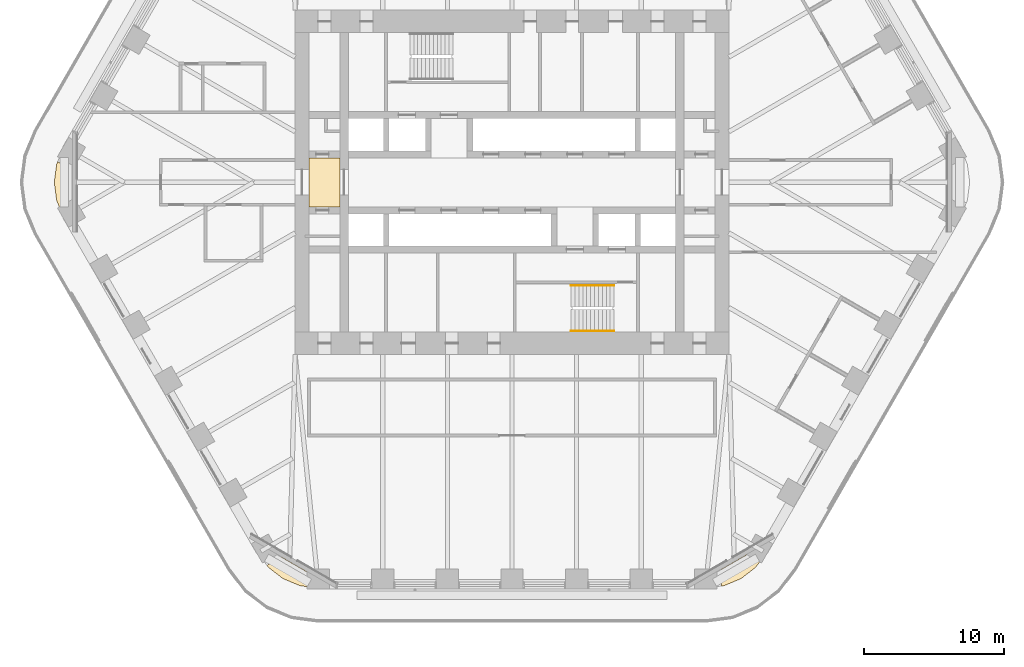
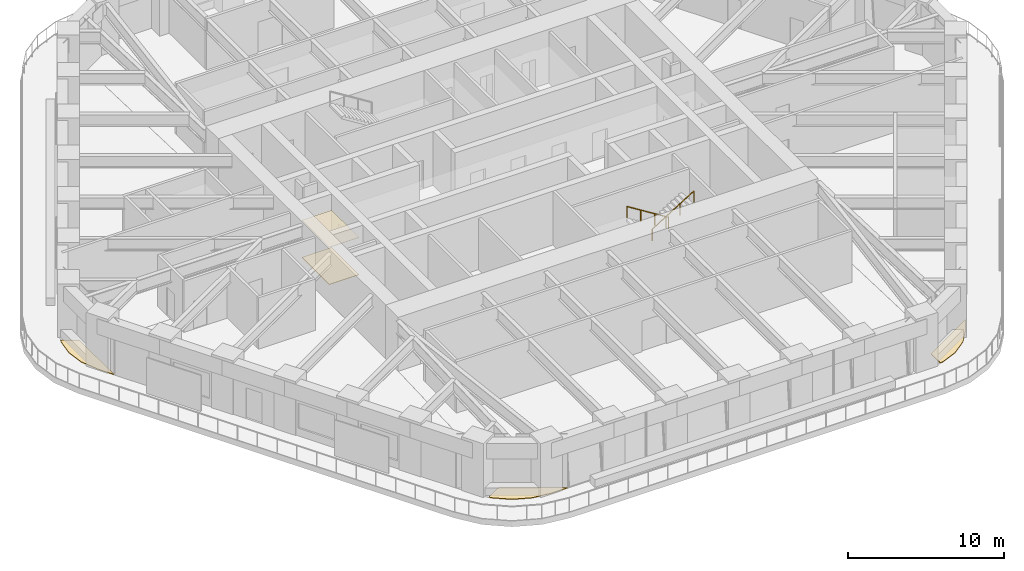
# One storey, part 18 of 20: 5 coverings, 2 railings.
"""IFC4 building model written with IfcOpenShell, lengths in metres."""

import ifcopenshell
import ifcopenshell.guid

model = None  # the IFC model being written
_history = None  # IfcOwnerHistory: only IFC2X3 demands one
_inside = {}  # id of a spatial element -> (the spatial element, [elements in it])
_under = {}  # id of a project, library or spatial element -> (it, [spatial elements below it])
_declared = {}  # id of a project -> (the project, [libraries it declares])
_typed = {}  # id of a type object -> (the type object, [elements of that type])
_made_of = {}  # id of a material, layer set ... -> (it, [elements and type objects made of it])


def new_model(schema):
    """Start an empty IFC model of exactly this schema.

    Asked for "IFC4X3", IfcOpenShell would pick the latest addendum, in which some entities
    have other attributes; the version numbers below select the first issue.
    IFC2X3 requires an IfcOwnerHistory on every rooted entity: one is made here for all.
    """
    global model, _history
    if schema == "IFC4X3":
        model = ifcopenshell.file(schema_version=(4, 3, 0, 0))
    else:
        model = ifcopenshell.file(schema=schema)
    _inside.clear()
    _under.clear()
    _declared.clear()
    _typed.clear()
    _made_of.clear()
    _history = None
    if model.schema == "IFC2X3":
        org = make("IfcOrganization", Name="unknown")
        user = make(
            "IfcPersonAndOrganization",
            ThePerson=make("IfcPerson", FamilyName="unknown"),
            TheOrganization=org,
        )
        app = make(
            "IfcApplication",
            ApplicationDeveloper=org,
            Version="unknown",
            ApplicationFullName="unknown",
            ApplicationIdentifier="unknown",
        )
        _history = make(
            "IfcOwnerHistory",
            OwningUser=user,
            OwningApplication=app,
            ChangeAction="ADDED",
            CreationDate=0,
        )
    return model


def make(cls, **values):
    """One entity of the class cls with the attributes given. An attribute that is None is left unset."""
    return model.create_entity(
        cls, **{name: value for name, value in values.items() if value is not None}
    )


def rooted(cls, **values):
    """An entity with a GlobalId (a new one), such as an element, a storey or a relation."""
    return make(cls, GlobalId=ifcopenshell.guid.new(), OwnerHistory=_history, **values)


def si_unit(unit_type, name, prefix=None):
    """IfcSIUnit, for example si_unit("LENGTHUNIT", "METRE", prefix="MILLI")."""
    return make("IfcSIUnit", UnitType=unit_type, Prefix=prefix, Name=name)


def assignment(units):
    """IfcUnitAssignment: the units of a project."""
    return None if units is None else make("IfcUnitAssignment", Units=units)


def point(xyz):
    """IfcCartesianPoint."""
    return None if xyz is None else make("IfcCartesianPoint", Coordinates=xyz)


def direction(xyz):
    """IfcDirection."""
    return None if xyz is None else make("IfcDirection", DirectionRatios=xyz)


def frame(location, z_axis=None, x_axis=None):
    """IfcAxis2Placement3D, a coordinate frame: its origin and axes. An axis left out is left unset."""
    return make(
        "IfcAxis2Placement3D",
        Location=point(location),
        Axis=direction(z_axis),
        RefDirection=direction(x_axis),
    )


def frame_2d(location, x_axis=None):
    """IfcAxis2Placement2D, a coordinate frame in the plane: its origin and x axis."""
    return make(
        "IfcAxis2Placement2D", Location=point(location), RefDirection=direction(x_axis)
    )


def origin():
    """The frame at (0, 0, 0) with its axes left unset."""
    return frame((0.0, 0.0, 0.0))


def origin_2d():
    """The frame at (0, 0) in the plane with its x axis left unset."""
    return frame_2d((0.0, 0.0))


def place(relative_to, where):
    """IfcLocalPlacement: puts the frame where relative to a parent placement (None: the world)."""
    return make(
        "IfcLocalPlacement", PlacementRelTo=relative_to, RelativePlacement=where
    )


def context(
    kind, dimensions, precision=None, world=None, true_north=None, identifier=None
):
    """IfcGeometricRepresentationContext, for example the 3D "Model" context."""
    return make(
        "IfcGeometricRepresentationContext",
        ContextIdentifier=identifier,
        ContextType=kind,
        CoordinateSpaceDimension=dimensions,
        Precision=precision,
        WorldCoordinateSystem=world,
        TrueNorth=true_north,
    )


def subcontext(parent, identifier, kind, view, scale=None):
    """IfcGeometricRepresentationSubContext, for example "Body" below "Model"."""
    return make(
        "IfcGeometricRepresentationSubContext",
        ContextIdentifier=identifier,
        ContextType=kind,
        ParentContext=parent,
        TargetScale=scale,
        TargetView=view,
    )


def project(units=None, contexts=None):
    """IfcProject with its units and contexts."""
    return rooted(
        "IfcProject",
        Name="project",
        RepresentationContexts=contexts,
        UnitsInContext=assignment(units),
    )


def spatial(cls, under=None, at=None, **own):
    """A site, building, storey or space (cls), placed at a placement, below another one or the project."""
    s = rooted(cls, ObjectPlacement=at, **own)
    if under is not None:
        _under.setdefault(under.id(), (under, []))[1].append(s)
    return s


def polyline(points):
    """IfcPolyline through the points."""
    return make("IfcPolyline", Points=[point(p) for p in points])


def profile(cls, at=None, kind="AREA", **sizes):
    """A parametric profile (cls). Its sizes go by their IFC names, for example OverallWidth=200.0."""
    return make(cls, ProfileType=kind, Position=at, **sizes)


def circle(**sizes):
    """IfcCircleProfileDef."""
    return profile("IfcCircleProfileDef", **sizes)


def outline(outer, holes=None, kind="AREA"):
    """IfcArbitraryClosedProfileDef: a profile drawn as a closed curve; with holes, ...WithVoids."""
    if holes is None:
        return make("IfcArbitraryClosedProfileDef", ProfileType=kind, OuterCurve=outer)
    return make(
        "IfcArbitraryProfileDefWithVoids",
        ProfileType=kind,
        OuterCurve=outer,
        InnerCurves=holes,
    )


def extrude(swept, where, along, depth):
    """IfcExtrudedAreaSolid: the profile swept, set in the frame where, extruded along a direction by depth."""
    return make(
        "IfcExtrudedAreaSolid",
        SweptArea=swept,
        Position=where,
        ExtrudedDirection=direction(along),
        Depth=depth,
    )


def shape(context_of_items, identifier, shape_type, items):
    """IfcShapeRepresentation: the items that make up one representation, for example the "Body"."""
    return make(
        "IfcShapeRepresentation",
        ContextOfItems=context_of_items,
        RepresentationIdentifier=identifier,
        RepresentationType=shape_type,
        Items=items,
    )


def material(Name=None, Category=None):
    """IfcMaterial."""
    return make("IfcMaterial", Name=Name, Category=Category)


def layer(
    of_material, thickness, ventilated=None, Name=None, Category=None, Priority=None
):
    """IfcMaterialLayer: one layer of a wall or slab, of a material (None: an air gap)."""
    return make(
        "IfcMaterialLayer",
        Material=of_material,
        LayerThickness=thickness,
        IsVentilated=ventilated,
        Name=Name,
        Category=Category,
        Priority=Priority,
    )


def layer_set(layers, Name=None):
    """IfcMaterialLayerSet."""
    return make("IfcMaterialLayerSet", MaterialLayers=layers, LayerSetName=Name)


def made_of(thing, what):
    """Note that an element or type object is made of a material, layer set ...; save() writes the relation."""
    if what is not None:
        _made_of.setdefault(what.id(), (what, []))[1].append(thing)
    return thing


def type_object(cls, material=None, **own):
    """A type object (cls), such as IfcWallType, which elements share."""
    return made_of(rooted(cls, **own), material)


def element(
    cls,
    number,
    at=None,
    inside=None,
    cuts=None,
    type_object=None,
    material=None,
    context=None,
    identifier="Body",
    shape_type=None,
    held_by="IfcProductDefinitionShape",
    body=None,
    shapes=None,
    **own,
):
    """One element of the class cls, such as IfcWall. Its Tag is "e" and its number.

    at: its placement. inside: the storey or other place that contains it. cuts: it is an
    opening in that element (IfcRelVoidsElement). A single representation is given by context,
    identifier, shape_type and body (its items); several are given by shapes. held_by: the class
    of the entity that holds the representations. save() writes the other relations.
    """
    e = rooted(cls, Tag="e%d" % number, ObjectPlacement=at, **own)
    if body is not None:
        shapes = [shape(context, identifier, shape_type, body)]
    if shapes is not None:
        e.Representation = make(held_by, Representations=shapes)
    if inside is not None:
        _inside.setdefault(inside.id(), (inside, []))[1].append(e)
    if cuts is not None:
        rooted(
            "IfcRelVoidsElement", RelatingBuildingElement=cuts, RelatedOpeningElement=e
        )
    if type_object is not None:
        _typed.setdefault(type_object.id(), (type_object, []))[1].append(e)
    return made_of(e, material)


def aggregate(whole, parts):
    """IfcRelAggregates: a whole, such as a stair, and the parts it consists of."""
    return rooted("IfcRelAggregates", RelatingObject=whole, RelatedObjects=parts)


def save(model, path):
    """Write the relations noted so far, then the file.

    IfcRelAggregates (storeys below a building ...), IfcRelContainedInSpatialStructure (elements
    in a storey), IfcRelDefinesByType, IfcRelAssociatesMaterial and IfcRelDeclares: one each for
    every whole, place, type object, material and project.
    """
    for whole, parts in _under.values():
        aggregate(whole, parts)
    for where, things in _inside.values():
        rooted(
            "IfcRelContainedInSpatialStructure",
            RelatedElements=things,
            RelatingStructure=where,
        )
    for kind, things in _typed.values():
        rooted("IfcRelDefinesByType", RelatedObjects=things, RelatingType=kind)
    for what, things in _made_of.values():
        rooted("IfcRelAssociatesMaterial", RelatedObjects=things, RelatingMaterial=what)
    for by, libraries in _declared.values():
        rooted("IfcRelDeclares", RelatingContext=by, RelatedDefinitions=libraries)
    model.write(path)


model = new_model("IFC4")

# Units and contexts
model_context = context("Model", 3, precision=1e-05, world=origin(), true_north=direction((0.0, 1.0)))
body_context = subcontext(model_context, "Body", "Model", "MODEL_VIEW")
ifc_project = project(units=[si_unit("LENGTHUNIT", "METRE"), si_unit("AREAUNIT", "SQUARE_METRE"), si_unit("VOLUMEUNIT", "CUBIC_METRE"), si_unit("PLANEANGLEUNIT", "RADIAN"), si_unit("MASSUNIT", "GRAM", prefix="KILO")], contexts=[model_context])

# Site, building, storey
site_placement = place(None, origin())
site = spatial("IfcSite", under=ifc_project, at=site_placement, CompositionType="ELEMENT")
building_placement = place(site_placement, origin())
building = spatial("IfcBuilding", under=site, at=building_placement, Name="Tarfa Lantern Tower", CompositionType="ELEMENT")
storey_placement = place(building_placement, frame((0.0, 0.0, 232.300048828125)))
storey = spatial("IfcBuildingStorey", under=building, at=storey_placement, Name="L52", CompositionType="ELEMENT", Elevation=232.300048828125)

# Coverings
ifc_material_1 = material(Name="Powder-coated aluminium panel", Category="aluminium")
ifc_layer_1 = layer(ifc_material_1, 0.030029296875)
ifc_layer_set_1 = layer_set([ifc_layer_1], Name="CL3 METAL PANEL CEILING 30")
covering_type_1 = type_object("IfcCoveringType", Name="CL3 METAL PANEL CEILING 30", PredefinedType="CEILING", material=ifc_layer_set_1)
covering_1_placement = place(storey_placement, frame((0.0, 0.0, 2.89990234375)))
element("IfcCovering", 1, at=covering_1_placement, inside=storey, type_object=covering_type_1, Name="Ceiling L52-01", PredefinedType="CEILING", context=body_context, shape_type="SweptSolid", body=[
    extrude(outline(polyline([(-14.5, -1.75), (-12.300048828125, -1.75), (-12.300048828125, 1.75), (-14.5, 1.75), (-14.5, -1.75)])), origin(), (0.0, 0.0, 1.0), 0.030029296875),
])
ifc_material_2 = material(Name="Honed limestone flooring", Category="masonry")
ifc_layer_2 = layer(ifc_material_2, 0.030029296875)
ifc_layer_set_2 = layer_set([ifc_layer_2], Name="FL2 STONE FLOORING 30")
covering_type_2 = type_object("IfcCoveringType", Name="FL2 STONE FLOORING 30", PredefinedType="FLOORING", material=ifc_layer_set_2)
covering_2_placement = place(storey_placement, origin())
element("IfcCovering", 2, at=covering_2_placement, inside=storey, type_object=covering_type_2, Name="Floor finish L52-01", PredefinedType="FLOORING", context=body_context, shape_type="SweptSolid", body=[
    extrude(outline(polyline([(-14.5, -1.75), (-12.300048828125, -1.75), (-12.300048828125, 1.75), (-14.5, 1.75), (-14.5, -1.75)])), origin(), (0.0, 0.0, 1.0), 0.030029296875),
])

# Railings
ifc_material_3 = material(Name="Stainless steel", Category="steel")
railing_type = type_object("IfcRailingType", Name="HR1 HANDRAIL 900", PredefinedType="HANDRAIL", material=ifc_material_3)
railing_1_placement = place(storey_placement, frame((7.300048828125, -7.3798828125, 0.175048828125)))
element("IfcRailing", 3, at=railing_1_placement, inside=storey, type_object=railing_type, Name="Handrail 1", PredefinedType="HANDRAIL", context=body_context, shape_type="SweptSolid", body=[
    extrude(circle(Radius=0.02392578125, at=origin_2d()), frame((0.0, 0.0, 0.8759765625), z_axis=(-0.848028513186, 0.0, 0.529950602248), x_axis=(0.0, -1.0, 0.0)), (0.0, 0.0, 1.0), 3.632080078125),
    extrude(circle(Radius=0.02099609375, at=origin_2d()), frame((0.0, 0.0, 0.0), z_axis=(0.0, 0.0, 1.0), x_axis=(0.0, -1.0, 0.0)), (0.0, 0.0, 1.0), 0.851806640625),
    extrude(circle(Radius=0.02099609375, at=origin_2d()), frame((-1.026611328125, 0.0, 0.6416015625), z_axis=(0.0, 0.0, 1.0), x_axis=(0.0, -1.0, 0.0)), (0.0, 0.0, 1.0), 0.851806640625),
    extrude(circle(Radius=0.02099609375, at=origin_2d()), frame((-2.053466796875, 0.0, 1.283203125), z_axis=(0.0, 0.0, 1.0), x_axis=(0.0, -1.0, 0.0)), (0.0, 0.0, 1.0), 0.851806640625),
    extrude(circle(Radius=0.02099609375, at=origin_2d()), frame((-3.080078125, 0.0, 1.9248046875), z_axis=(0.0, 0.0, 1.0), x_axis=(0.0, -1.0, 0.0)), (0.0, 0.0, 1.0), 0.851806640625),
])
railing_2_placement = place(storey_placement, frame((4.219970703125, -10.6201171875, 2.27490234375)))
element("IfcRailing", 4, at=railing_2_placement, inside=storey, type_object=railing_type, Name="Handrail 2", PredefinedType="HANDRAIL", context=body_context, shape_type="SweptSolid", body=[
    extrude(circle(Radius=0.02392578125, at=origin_2d()), frame((0.0, 0.0, 0.8759765625), z_axis=(0.847998304005, 0.0, 0.529998940003), x_axis=(0.0, 1.0, 0.0)), (0.0, 0.0, 1.0), 3.632080078125),
    extrude(circle(Radius=0.02099609375, at=origin_2d()), frame((0.0, 0.0, 0.0), z_axis=(0.0, 0.0, 1.0), x_axis=(0.0, 1.0, 0.0)), (0.0, 0.0, 1.0), 0.851806640625),
    extrude(circle(Radius=0.02099609375, at=origin_2d()), frame((1.026611328125, 0.0, 0.6416015625), z_axis=(0.0, 0.0, 1.0), x_axis=(0.0, 1.0, 0.0)), (0.0, 0.0, 1.0), 0.851806640625),
    extrude(circle(Radius=0.02099609375, at=origin_2d()), frame((2.053466796875, 0.0, 1.283447265625), z_axis=(0.0, 0.0, 1.0), x_axis=(0.0, 1.0, 0.0)), (0.0, 0.0, 1.0), 0.851806640625),
    extrude(circle(Radius=0.02099609375, at=origin_2d()), frame((3.080078125, 0.0, 1.925048828125), z_axis=(0.0, 0.0, 1.0), x_axis=(0.0, 1.0, 0.0)), (0.0, 0.0, 1.0), 0.851806640625),
])

# Coverings
ifc_material_4 = material(Name="Porcelain pavers on pedestals", Category="ceramic")
ifc_layer_3 = layer(ifc_material_4, 0.0400390625)
ifc_layer_set_3 = layer_set([ifc_layer_3], Name="LP1 LOGGIA PAVING 40")
covering_type_3 = type_object("IfcCoveringType", Name="LP1 LOGGIA PAVING 40", PredefinedType="FLOORING", material=ifc_layer_set_3)
covering_3_placement = place(storey_placement, origin())
element("IfcCovering", 5, at=covering_3_placement, inside=storey, type_object=covering_type_3, Name="Sky garden paving NW-SW", PredefinedType="FLOORING", context=body_context, shape_type="SweptSolid", body=[
    extrude(outline(polyline([(-32.54248046875, -1.294189453125), (-32.712890625, 0.0), (-32.54248046875, 1.294189453125), (-32.467529296875, 1.474853515625), (-31.43310546875, 0.877685546875), (-31.43310546875, -3.55078125), (-31.436279296875, -3.55078125), (-32.04296875, -2.5), (-32.54248046875, -1.294189453125)])), origin(), (0.0, 0.0, 1.0), 0.0400390625),
])
covering_4_placement = place(storey_placement, origin())
element("IfcCovering", 6, at=covering_4_placement, inside=storey, type_object=covering_type_3, Name="Sky garden paving SW-S", PredefinedType="FLOORING", context=body_context, shape_type="SweptSolid", body=[
    extrude(outline(polyline([(-15.150390625, -28.82958984375), (-16.3564453125, -28.330078125), (-17.391845703125, -27.53564453125), (-17.51123046875, -27.380126953125), (-16.4765625, -26.782958984375), (-12.641357421875, -28.997314453125), (-12.64306640625, -29.0), (-13.8564453125, -29.0), (-15.150390625, -28.82958984375)])), origin(), (0.0, 0.0, 1.0), 0.0400390625),
])
covering_5_placement = place(storey_placement, origin())
element("IfcCovering", 7, at=covering_5_placement, inside=storey, type_object=covering_type_3, Name="Sky garden paving S-SE", PredefinedType="FLOORING", context=body_context, shape_type="SweptSolid", body=[
    extrude(outline(polyline([(17.391845703125, -27.53564453125), (16.3564453125, -28.330078125), (15.150390625, -28.82958984375), (14.956298828125, -28.855224609375), (14.956298828125, -27.66064453125), (18.791748046875, -25.4462890625), (18.793212890625, -25.44921875), (18.1865234375, -26.5), (17.391845703125, -27.53564453125)])), origin(), (0.0, 0.0, 1.0), 0.0400390625),
])

save(model, "model.ifc")
